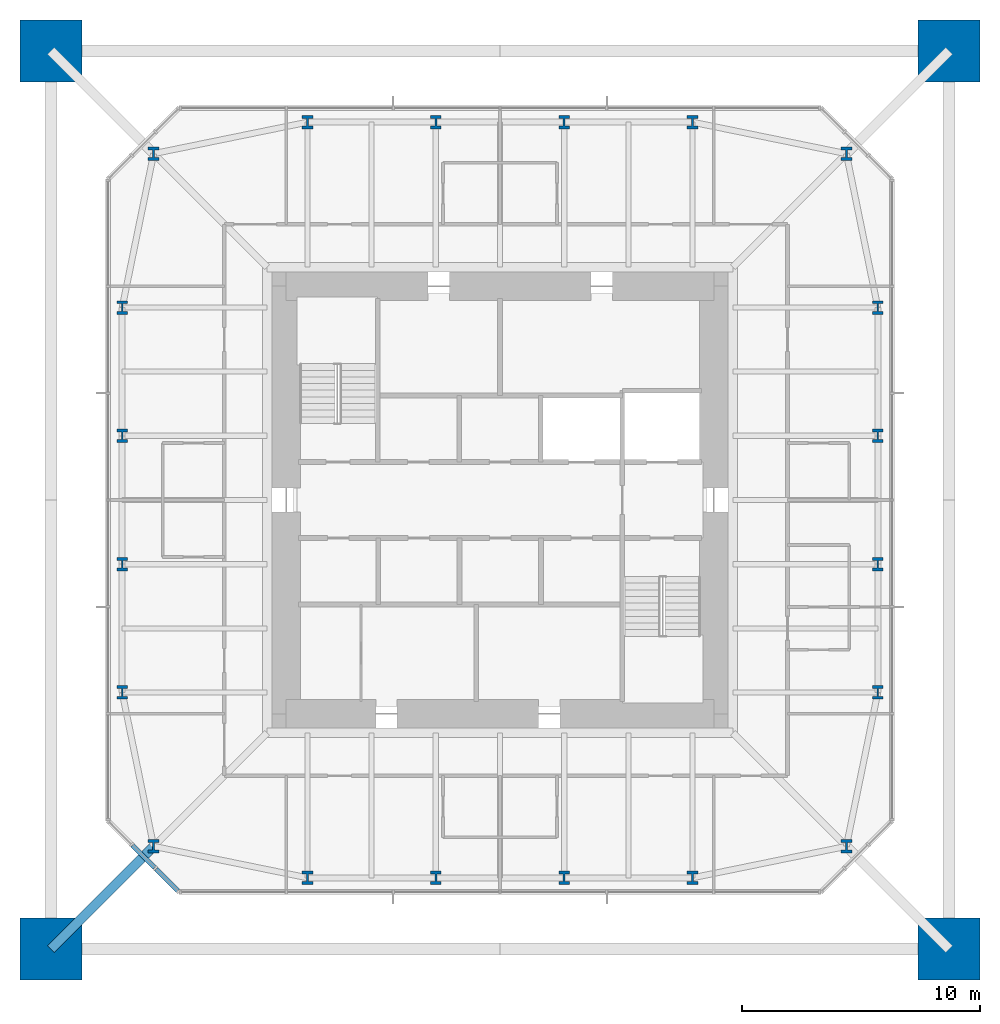
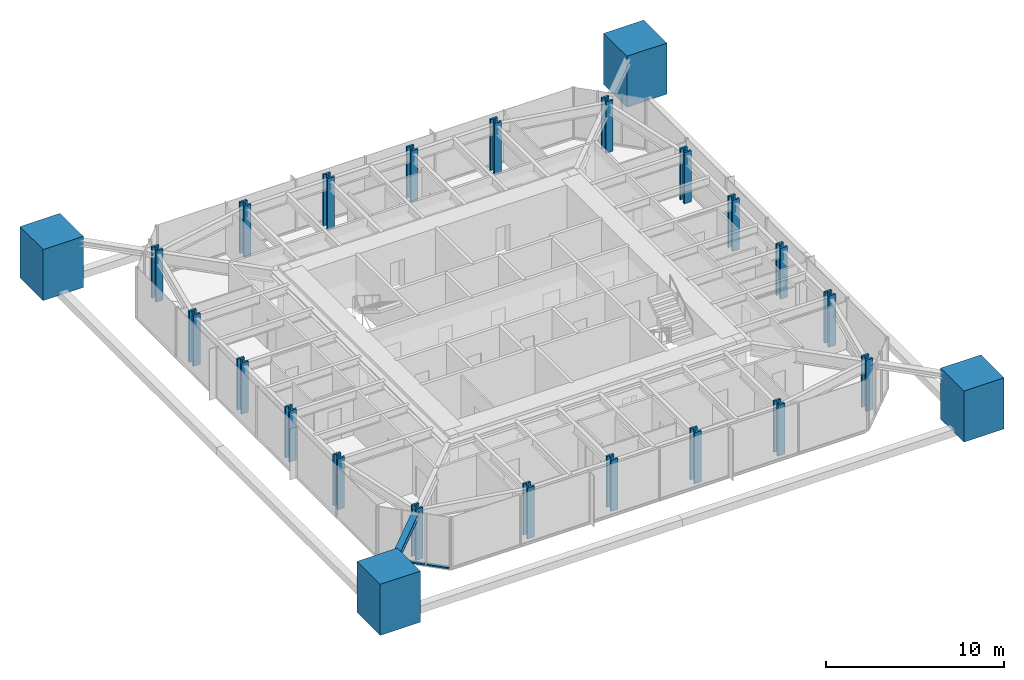
# One storey, part 1 of 10: 24 columns, 3 members, 1 element without a shape of its own.
"""IFC4 building model written with IfcOpenShell, lengths in metres."""

from ifc_helpers import new_model, si_unit, direction, frame, origin, origin_2d, place, context, subcontext, project, spatial, rectangle, i_section, extrude, material, material_profile, profile_set, type_object, element, aggregate, save


model = new_model("IFC4")

# Units and contexts
model_context = context("Model", 3, precision=1e-05, world=origin(), true_north=direction((0.0, 1.0)))
body_context = subcontext(model_context, "Body", "Model", "MODEL_VIEW")
ifc_project = project(units=[si_unit("LENGTHUNIT", "METRE"), si_unit("AREAUNIT", "SQUARE_METRE"), si_unit("VOLUMEUNIT", "CUBIC_METRE"), si_unit("PLANEANGLEUNIT", "RADIAN"), si_unit("MASSUNIT", "GRAM", prefix="KILO")], contexts=[model_context])

# Site, building, storey
site_placement = place(None, origin())
site = spatial("IfcSite", under=ifc_project, at=site_placement, CompositionType="ELEMENT")
building_placement = place(site_placement, origin())
building = spatial("IfcBuilding", under=site, at=building_placement, Name="Iwan Alto Co-Living Towers", CompositionType="ELEMENT")
storey_placement = place(building_placement, frame((0.0, 0.0, 253.5)))
storey = spatial("IfcBuildingStorey", under=building, at=storey_placement, Name="L69", CompositionType="ELEMENT", Elevation=253.5)

# Columns
ifc_material_1 = material(Name="Concrete f'c 70 MPa", Category="concrete")
ifc_material_profile_1 = material_profile(ifc_material_1, rectangle(XDim=2.60009765625, YDim=2.60009765625, at=origin_2d()), Name="RC 2600X2600")
ifc_profile_set_1 = profile_set([ifc_material_profile_1], Name="Concrete f'c 70 MPa")
column_type_1 = type_object("IfcColumnType", Name="T1 MEGA COLUMN RC 2600X2600", PredefinedType="COLUMN", material=ifc_profile_set_1)
for number, where, z_axis, x_axis, name in (
    (1, (-18.89990234375, -18.89990234375, 0.0), (0.0, 0.0, 1.0), (1.0, 0.0, 0.0), "T1 mega column SW L69"),
    (2, (18.89990234375, -18.89990234375, 0.0), (0.0, 0.0, 1.0), (1.0, 0.0, 0.0), "T1 mega column SE L69"),
    (3, (18.89990234375, 18.89990234375, 0.0), (0.0, 0.0, 1.0), (1.0, 0.0, 0.0), "T1 mega column NE L69"),
    (4, (-18.89990234375, 18.89990234375, 0.0), (0.0, 0.0, 1.0), (1.0, 0.0, 0.0), "T1 mega column NW L69"),
):
    element("IfcColumn", number, at=place(storey_placement, frame(where, z_axis=z_axis, x_axis=x_axis)), inside=storey, type_object=column_type_1, Name=name, PredefinedType="COLUMN", context=body_context, shape_type="SweptSolid", body=[
        extrude(rectangle(XDim=2.60009765625, YDim=2.60009765625, at=origin_2d()), origin(), (0.0, 0.0, 1.0), 3.5),
        extrude(i_section(OverallWidth=0.4775390625, OverallDepth=0.599365234375, WebThickness=0.10009765625, FlangeThickness=0.139892578125, at=origin_2d()), origin(), (0.0, 0.0, 1.0), 3.5),
    ])
ifc_material_2 = material(Name="Steel ASTM A992 Gr 50", Category="steel")
ifc_material_profile_2 = material_profile(ifc_material_2, i_section(OverallWidth=0.45458984375, OverallDepth=0.56884765625, WebThickness=0.077880859375, FlangeThickness=0.124755859375, at=origin_2d()), Name="W14X730")
ifc_profile_set_2 = profile_set([ifc_material_profile_2], Name="Steel ASTM A992 Gr 50")
column_type_2 = type_object("IfcColumnType", Name="T1 RING COLUMN W14X730", PredefinedType="COLUMN", material=ifc_profile_set_2)
for number, where, z_axis, x_axis, name in (
    (5, (-14.57568359375, -14.57568359375, 0.0), (0.0, 0.0, 1.0), (1.0, 0.0, 0.0), "T1 ring column CSW L69"),
    (6, (-8.10009765625, -15.89990234375, 0.0), (0.0, 0.0, 1.0), (1.0, 0.0, 0.0), "T1 ring column S1 L69"),
    (7, (-2.699951171875, -15.89990234375, 0.0), (0.0, 0.0, 1.0), (1.0, 0.0, 0.0), "T1 ring column S2 L69"),
    (8, (2.699951171875, -15.89990234375, 0.0), (0.0, 0.0, 1.0), (1.0, 0.0, 0.0), "T1 ring column S3 L69"),
    (9, (8.10009765625, -15.89990234375, 0.0), (0.0, 0.0, 1.0), (1.0, 0.0, 0.0), "T1 ring column S4 L69"),
    (10, (14.57568359375, -14.57568359375, 0.0), (0.0, 0.0, 1.0), (1.0, 0.0, 0.0), "T1 ring column CSE L69"),
    (11, (15.89990234375, -8.10009765625, 0.0), (0.0, 0.0, 1.0), (1.0, 0.0, 0.0), "T1 ring column E1 L69"),
    (12, (15.89990234375, -2.699951171875, 0.0), (0.0, 0.0, 1.0), (1.0, 0.0, 0.0), "T1 ring column E2 L69"),
    (13, (15.89990234375, 2.699951171875, 0.0), (0.0, 0.0, 1.0), (1.0, 0.0, 0.0), "T1 ring column E3 L69"),
    (14, (15.89990234375, 8.10009765625, 0.0), (0.0, 0.0, 1.0), (1.0, 0.0, 0.0), "T1 ring column E4 L69"),
    (15, (14.57568359375, 14.57568359375, 0.0), (0.0, 0.0, 1.0), (1.0, 0.0, 0.0), "T1 ring column CNE L69"),
    (16, (8.10009765625, 15.89990234375, 0.0), (0.0, 0.0, 1.0), (1.0, 0.0, 0.0), "T1 ring column N1 L69"),
    (17, (2.699951171875, 15.89990234375, 0.0), (0.0, 0.0, 1.0), (1.0, 0.0, 0.0), "T1 ring column N2 L69"),
    (18, (-2.699951171875, 15.89990234375, 0.0), (0.0, 0.0, 1.0), (1.0, 0.0, 0.0), "T1 ring column N3 L69"),
    (19, (-8.10009765625, 15.89990234375, 0.0), (0.0, 0.0, 1.0), (1.0, 0.0, 0.0), "T1 ring column N4 L69"),
    (20, (-14.57568359375, 14.57568359375, 0.0), (0.0, 0.0, 1.0), (1.0, 0.0, 0.0), "T1 ring column CNW L69"),
    (21, (-15.89990234375, 8.10009765625, 0.0), (0.0, 0.0, 1.0), (1.0, 0.0, 0.0), "T1 ring column W1 L69"),
    (22, (-15.89990234375, 2.699951171875, 0.0), (0.0, 0.0, 1.0), (1.0, 0.0, 0.0), "T1 ring column W2 L69"),
    (23, (-15.89990234375, -2.699951171875, 0.0), (0.0, 0.0, 1.0), (1.0, 0.0, 0.0), "T1 ring column W3 L69"),
    (24, (-15.89990234375, -8.10009765625, 0.0), (0.0, 0.0, 1.0), (1.0, 0.0, 0.0), "T1 ring column W4 L69"),
):
    element("IfcColumn", number, at=place(storey_placement, frame(where, z_axis=z_axis, x_axis=x_axis)), inside=storey, type_object=column_type_2, Name=name, PredefinedType="COLUMN", context=body_context, shape_type="SweptSolid", body=[
        extrude(i_section(OverallWidth=0.45458984375, OverallDepth=0.56884765625, WebThickness=0.077880859375, FlangeThickness=0.124755859375, at=origin_2d()), origin(), (0.0, 0.0, 1.0), 3.5),
    ])

# Curtain wall, members
ifc_material_3 = material(Name="Bronze aluminium unitised frame", Category="aluminium")
curtain_wall_type = type_object("IfcCurtainWallType", Name="CURTAIN WALL CW-B", PredefinedType="NOTDEFINED", material=ifc_material_3)
curtain_wall_placement = place(storey_placement, origin())
curtain_wall = element("IfcCurtainWall", 25, at=curtain_wall_placement, inside=storey, type_object=curtain_wall_type, Name="T1 chamfer curtain wall SW L69", PredefinedType="NOTDEFINED")
ifc_material_4 = material(Name="Aluminium 6063-T6 bronze anodised", Category="aluminium")
ifc_material_profile_3 = material_profile(ifc_material_4, rectangle(XDim=0.199951171875, YDim=0.10009765625, at=origin_2d()), Name="AL 200X100")
ifc_profile_set_3 = profile_set([ifc_material_profile_3], Name="Aluminium 6063-T6 bronze anodised")
member_type_1 = type_object("IfcMemberType", Name="CW-B TRANSOM 200X100", PredefinedType="USERDEFINED", material=ifc_profile_set_3)
member_1_placement = place(storey_placement, frame((-15.4716796875, -14.5283203125, 0.050048828125), z_axis=(0.707106781187, -0.707106781187, 0.0), x_axis=(0.707106781187, 0.707106781187, 0.0)))
member_1 = element("IfcMember", 26, at=member_1_placement, type_object=member_type_1, Name="CW-B transom 2.1", ObjectType="TRANSOM", PredefinedType="USERDEFINED", context=body_context, shape_type="SweptSolid", body=[
    extrude(rectangle(XDim=0.199951171875, YDim=0.10009765625, at=origin_2d()), origin(), (0.0, 0.0, 1.0), 1.334228515625),
])
member_2_placement = place(storey_placement, frame((-14.4716796875, -15.5283203125, 0.050048828125), z_axis=(0.707106781187, -0.707106781187, 0.0), x_axis=(0.707106781187, 0.707106781187, 0.0)))
member_2 = element("IfcMember", 27, at=member_2_placement, type_object=member_type_1, Name="CW-B transom 3.1", ObjectType="TRANSOM", PredefinedType="USERDEFINED", context=body_context, shape_type="SweptSolid", body=[
    extrude(rectangle(XDim=0.199951171875, YDim=0.10009765625, at=origin_2d()), origin(), (0.0, 0.0, 1.0), 1.2939453125),
])
aggregate(curtain_wall, [member_1, member_2])

# Member
ifc_material_5 = material(Name="Steel ASTM A992 Gr 50", Category="steel")
ifc_material_profile_4 = material_profile(ifc_material_5, i_section(OverallWidth=0.393798828125, OverallDepth=0.3759765625, WebThickness=0.017333984375, FlangeThickness=0.027587890625, at=origin_2d()), Name="W14X145")
ifc_profile_set_4 = profile_set([ifc_material_profile_4], Name="Steel ASTM A992 Gr 50")
member_type_2 = type_object("IfcMemberType", Name="T1 MEGA COLUMN FLOOR TIE W14X145", PredefinedType="STRUT", material=ifc_profile_set_4)
member_3_placement = place(storey_placement, frame((-18.89990234375, -18.89990234375, 3.08203125), z_axis=(0.707106781187, 0.707106781187, 0.0), x_axis=(-0.707106781187, 0.707106781187, 0.0)))
element("IfcMember", 28, at=member_3_placement, inside=storey, type_object=member_type_2, Name="T1 mega column floor tie SW L70", PredefinedType="STRUT", context=body_context, shape_type="SweptSolid", body=[
    extrude(i_section(OverallWidth=0.393798828125, OverallDepth=0.3759765625, WebThickness=0.017333984375, FlangeThickness=0.027587890625, at=origin_2d()), origin(), (0.0, 0.0, 1.0), 6.115478515625),
])

save(model, "model.ifc")
